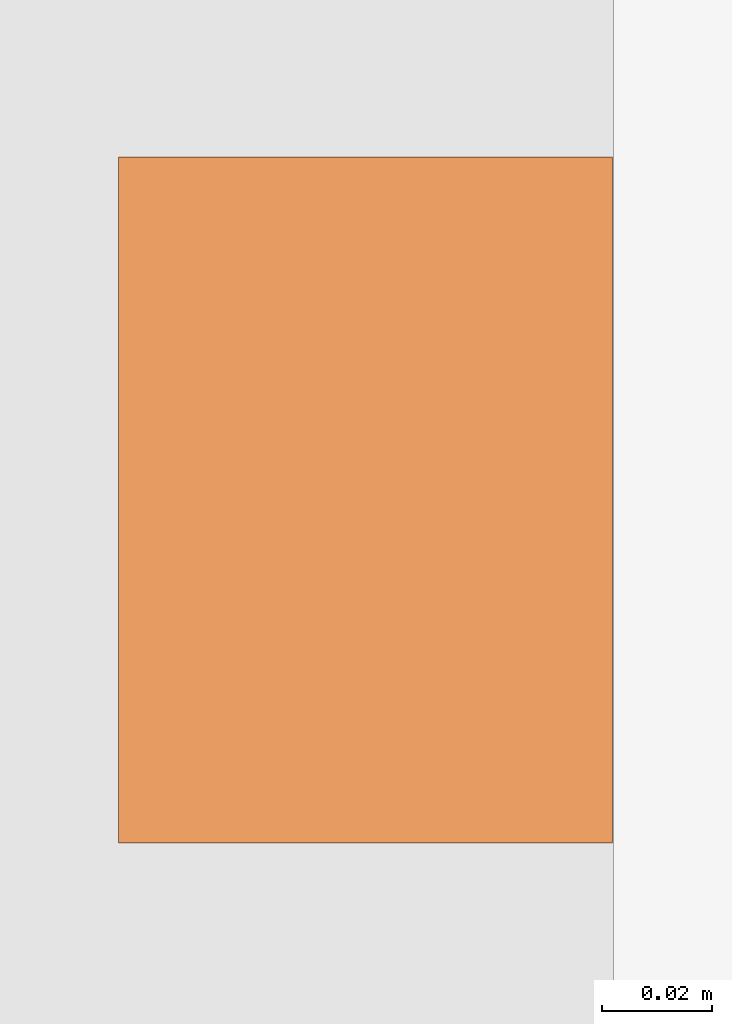
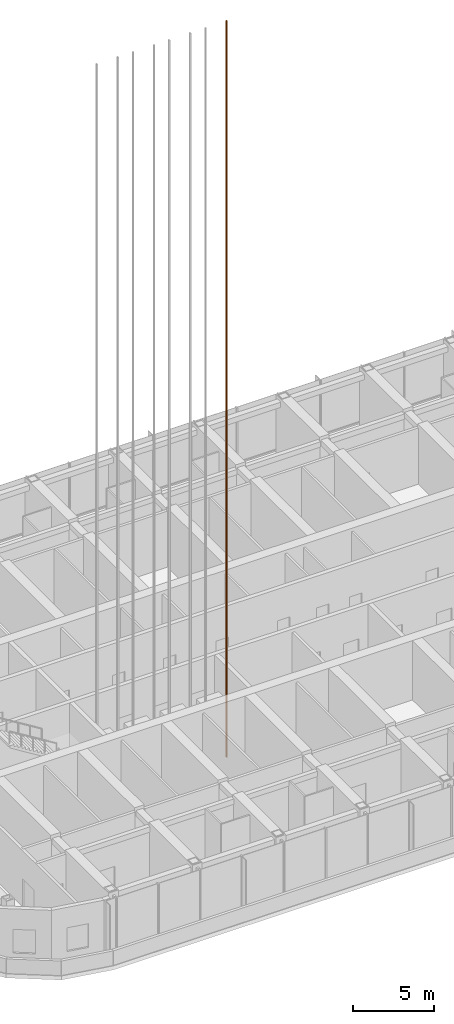
# One storey, part 35 of 35: 1 proxy.
"""IFC4 building model written with IfcOpenShell, lengths in metres."""

from ifc_helpers import new_model, si_unit, direction, frame, origin, origin_2d, place, context, subcontext, project, spatial, rectangle, extrude, material, element, save


model = new_model("IFC4")

# Units and contexts
model_context = context("Model", 3, precision=1e-05, world=origin(), true_north=direction((0.0, 1.0)))
body_context = subcontext(model_context, "Body", "Model", "MODEL_VIEW")
ifc_project = project(units=[si_unit("LENGTHUNIT", "METRE"), si_unit("AREAUNIT", "SQUARE_METRE"), si_unit("VOLUMEUNIT", "CUBIC_METRE"), si_unit("PLANEANGLEUNIT", "RADIAN"), si_unit("MASSUNIT", "GRAM", prefix="KILO")], contexts=[model_context])

# Site, building, storey
site_placement = place(None, origin())
site = spatial("IfcSite", under=ifc_project, at=site_placement, CompositionType="ELEMENT")
building_placement = place(site_placement, origin())
building = spatial("IfcBuilding", under=site, at=building_placement, Name="Orbita Commons", CompositionType="ELEMENT")
storey_placement = place(building_placement, frame((0.0, 0.0, 208.300048828125)))
storey = spatial("IfcBuildingStorey", under=building, at=storey_placement, Name="L51", CompositionType="ELEMENT", Elevation=208.300048828125)

# Proxy
ifc_material = material(Name="Machined steel guide rail", Category="steel")
placement = place(storey_placement, frame((35.10009765625, 28.10009765625, 0.0), z_axis=(0.0, 0.0, 1.0), x_axis=(1.0, 0.0, 0.0)))
proxy_placement = place(placement, frame((0.7548828125, 0.0, -1.800048828125)))
element("IfcBuildingElementProxy", 1, at=proxy_placement, inside=storey, material=ifc_material, Name="P44 guide rail 2", ObjectType="GUIDE RAIL", PredefinedType="USERDEFINED", context=body_context, shape_type="SweptSolid", body=[
    extrude(rectangle(XDim=0.09, YDim=0.125, at=origin_2d()), origin(), (0.0, 0.0, 1.0), 55.800048828125),
])

save(model, "model.ifc")
